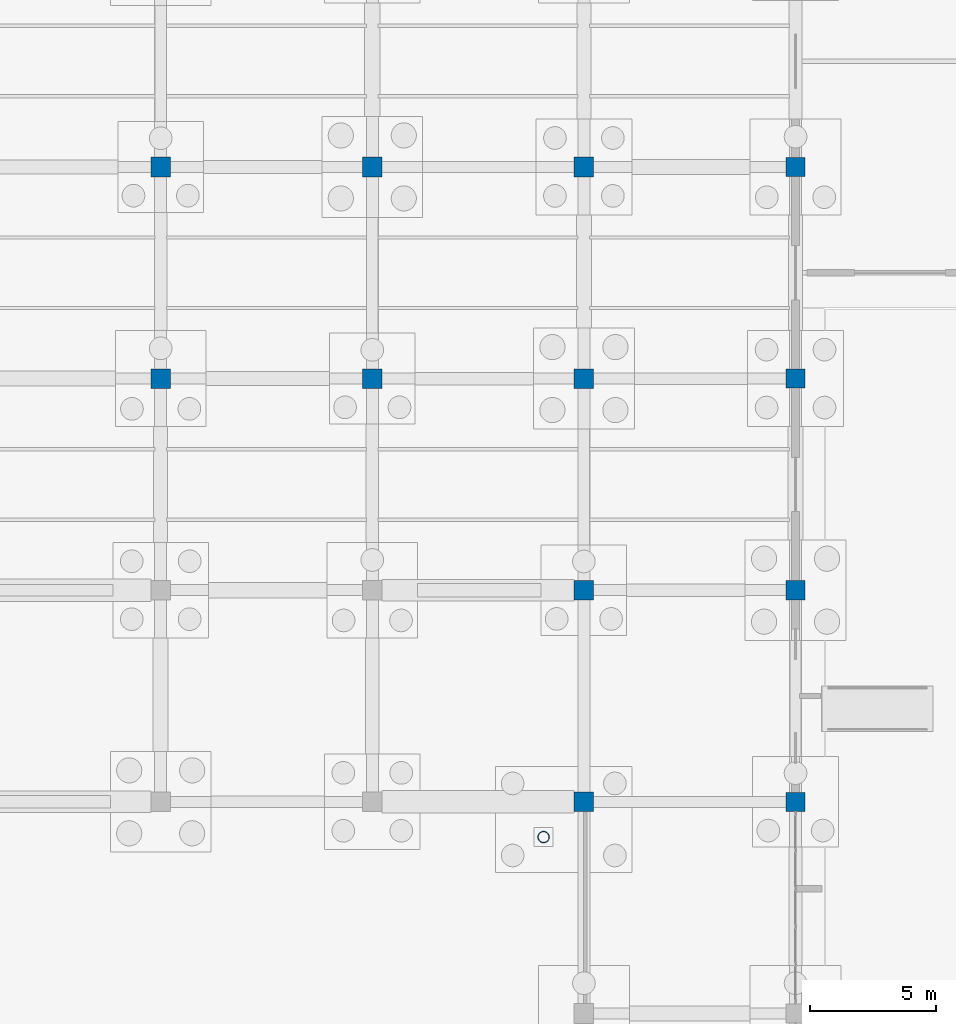
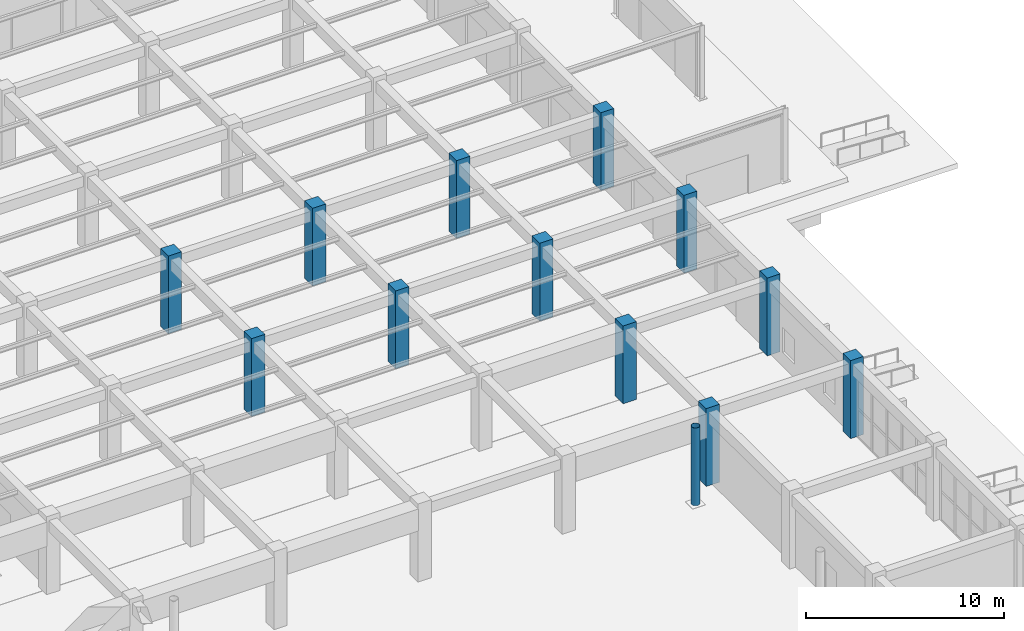
# One storey, part 45 of 192: 13 columns.
"""IFC4 building model written with IfcOpenShell, lengths in metres."""

from ifc_helpers import new_model, si_unit, direction, frame, origin, origin_2d, place, context, subcontext, project, spatial, rectangle, hollow_circle, extrude, material, material_profile, profile_set, type_object, element, save


model = new_model("IFC4")

# Units and contexts
model_context = context("Model", 3, precision=1e-05, world=origin(), true_north=direction((0.0, 1.0)))
body_context = subcontext(model_context, "Body", "Model", "MODEL_VIEW")
ifc_project = project(units=[si_unit("LENGTHUNIT", "METRE"), si_unit("AREAUNIT", "SQUARE_METRE"), si_unit("VOLUMEUNIT", "CUBIC_METRE"), si_unit("PLANEANGLEUNIT", "RADIAN"), si_unit("MASSUNIT", "GRAM", prefix="KILO")], contexts=[model_context])

# Site, building, storey
site_placement = place(None, origin())
site = spatial("IfcSite", under=ifc_project, at=site_placement, CompositionType="ELEMENT")
building_placement = place(site_placement, origin())
building = spatial("IfcBuilding", under=site, at=building_placement, Name="Trelvath General Hospital", CompositionType="ELEMENT")
storey_placement = place(building_placement, origin())
storey = spatial("IfcBuildingStorey", under=building, at=storey_placement, Name="L00", CompositionType="ELEMENT", Elevation=0.0)

# Columns
ifc_material_1 = material(Name="Concrete C40/50", Category="concrete")
ifc_material_profile_1 = material_profile(ifc_material_1, rectangle(XDim=0.760009765625, YDim=0.760009765625, at=origin_2d()), Name="RC760x760")
ifc_profile_set_1 = profile_set([ifc_material_profile_1], Name="Concrete C40/50")
column_type_1 = type_object("IfcColumnType", Name="Column RC760", PredefinedType="COLUMN", material=ifc_profile_set_1)
for number, where, z_axis, x_axis, name in (
    (1, (184.800048828125, 67.199951171875, 0.0), (0.0, 0.0, 1.0), (1.0, 0.0, 0.0), "Column C-23I L00"),
    (2, (184.800048828125, 75.60009765625, 0.0), (0.0, 0.0, 1.0), (1.0, 0.0, 0.0), "Column C-23J L00"),
    (3, (184.800048828125, 84.0, 0.0), (0.0, 0.0, 1.0), (1.0, 0.0, 0.0), "Column C-23K L00"),
    (4, (184.800048828125, 92.39990234375, 0.0), (0.0, 0.0, 1.0), (1.0, 0.0, 0.0), "Column C-23L L00"),
):
    element("IfcColumn", number, at=place(storey_placement, frame(where, z_axis=z_axis, x_axis=x_axis)), inside=storey, type_object=column_type_1, Name=name, PredefinedType="COLUMN", context=body_context, shape_type="SweptSolid", body=[
        extrude(rectangle(XDim=0.760009765625, YDim=0.760009765625, at=origin_2d()), origin(), (0.0, 0.0, 1.0), 4.800048828125),
    ])
ifc_material_2 = material(Name="Concrete C40/50", Category="concrete")
ifc_material_profile_2 = material_profile(ifc_material_2, rectangle(XDim=0.780029296875, YDim=0.780029296875, at=origin_2d()), Name="RC780x780")
ifc_profile_set_2 = profile_set([ifc_material_profile_2], Name="Concrete C40/50")
column_type_2 = type_object("IfcColumnType", Name="Column RC780", PredefinedType="COLUMN", material=ifc_profile_set_2)
for number, where, z_axis, x_axis, name in (
    (5, (159.60009765625, 84.0, 0.0), (0.0, 0.0, 1.0), (1.0, 0.0, 0.0), "Column C-20K L00"),
    (6, (159.60009765625, 92.39990234375, 0.0), (0.0, 0.0, 1.0), (1.0, 0.0, 0.0), "Column C-20L L00"),
    (7, (168.0, 84.0, 0.0), (0.0, 0.0, 1.0), (1.0, 0.0, 0.0), "Column C-21K L00"),
    (8, (168.0, 92.39990234375, 0.0), (0.0, 0.0, 1.0), (1.0, 0.0, 0.0), "Column C-21L L00"),
    (9, (176.39990234375, 67.199951171875, 0.0), (0.0, 0.0, 1.0), (1.0, 0.0, 0.0), "Column C-22I L00"),
    (10, (176.39990234375, 75.60009765625, 0.0), (0.0, 0.0, 1.0), (1.0, 0.0, 0.0), "Column C-22J L00"),
    (11, (176.39990234375, 84.0, 0.0), (0.0, 0.0, 1.0), (1.0, 0.0, 0.0), "Column C-22K L00"),
    (12, (176.39990234375, 92.39990234375, 0.0), (0.0, 0.0, 1.0), (1.0, 0.0, 0.0), "Column C-22L L00"),
):
    element("IfcColumn", number, at=place(storey_placement, frame(where, z_axis=z_axis, x_axis=x_axis)), inside=storey, type_object=column_type_2, Name=name, PredefinedType="COLUMN", context=body_context, shape_type="SweptSolid", body=[
        extrude(rectangle(XDim=0.780029296875, YDim=0.780029296875, at=origin_2d()), origin(), (0.0, 0.0, 1.0), 4.800048828125),
    ])
ifc_material_3 = material(Name="Steel S355", Category="steel")
ifc_material_profile_3 = material_profile(ifc_material_3, hollow_circle(Radius=0.228515625, WallThickness=0.01611328125, at=origin_2d()), Name="CHS457.0x16.0")
ifc_profile_set_3 = profile_set([ifc_material_profile_3], Name="Steel S355")
column_type_3 = type_object("IfcColumnType", Name="TreeColumn CHS457", PredefinedType="COLUMN", material=ifc_profile_set_3)
column_placement = place(storey_placement, frame((174.800048828125, 65.800048828125, 0.0), z_axis=(0.0, 0.0, 1.0), x_axis=(1.0, 0.0, 0.0)))
element("IfcColumn", 13, at=column_placement, inside=storey, type_object=column_type_3, Name="Space Frame Tree Column TC-08 L00", PredefinedType="COLUMN", context=body_context, shape_type="SweptSolid", body=[
    extrude(hollow_circle(Radius=0.228515625, WallThickness=0.01611328125, at=origin_2d()), origin(), (0.0, 0.0, 1.0), 4.800048828125),
])

save(model, "model.ifc")
